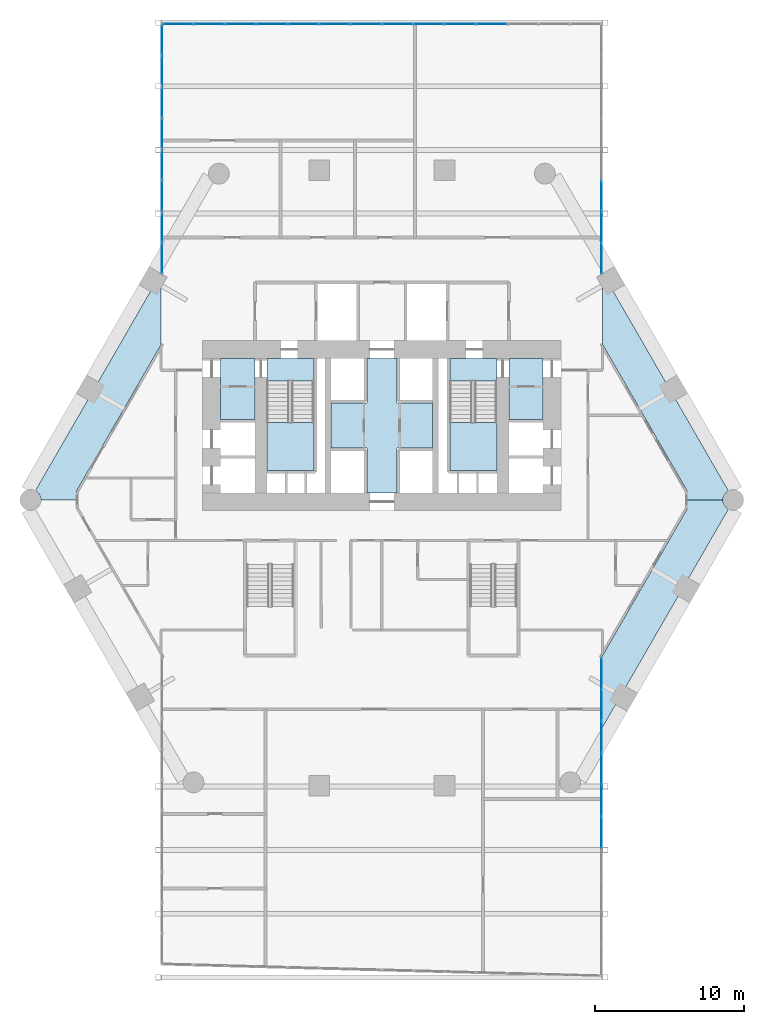
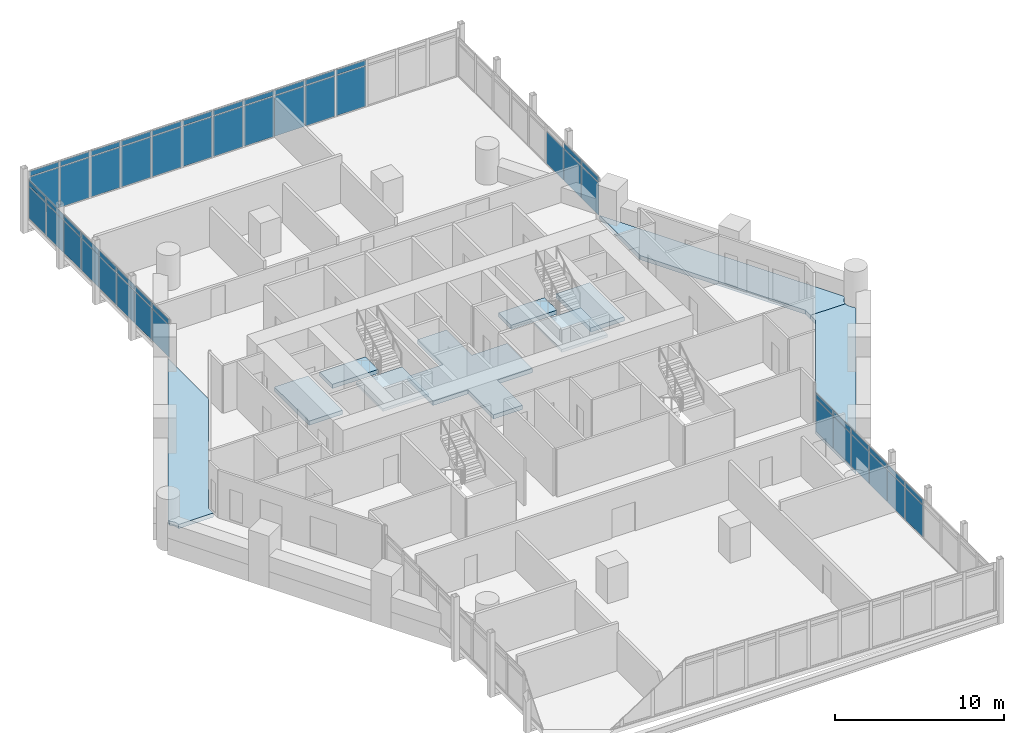
# One storey, part 21 of 28: 55 plates, 10 slabs, 6 elements without a shape of their own.
"""IFC4 building model written with IfcOpenShell, lengths in metres."""

from ifc_helpers import new_model, si_unit, direction, frame, origin, origin_2d, place, context, subcontext, project, spatial, polyline, rectangle, outline, extrude, material, layer, layer_set, type_object, element, aggregate, save


model = new_model("IFC4")

# Units and contexts
model_context = context("Model", 3, precision=1e-05, world=origin(), true_north=direction((0.0, 1.0)))
body_context = subcontext(model_context, "Body", "Model", "MODEL_VIEW")
ifc_project = project(units=[si_unit("LENGTHUNIT", "METRE"), si_unit("AREAUNIT", "SQUARE_METRE"), si_unit("VOLUMEUNIT", "CUBIC_METRE"), si_unit("PLANEANGLEUNIT", "RADIAN"), si_unit("MASSUNIT", "GRAM", prefix="KILO")], contexts=[model_context])

# Site, building, storey
site_placement = place(None, origin())
site = spatial("IfcSite", under=ifc_project, at=site_placement, CompositionType="ELEMENT")
building_placement = place(site_placement, origin())
building = spatial("IfcBuilding", under=site, at=building_placement, Name="Ostrander Bayou Hotel Tower", CompositionType="ELEMENT")
storey_placement = place(building_placement, frame((0.0, 0.0, 76.75)))
storey = spatial("IfcBuildingStorey", under=building, at=storey_placement, Name="L19", CompositionType="ELEMENT", Elevation=76.75)

# Curtain wall, plates
ifc_material_1 = material(Name="Aluminium and clear glass", Category="aluminium")
curtain_wall_type = type_object("IfcCurtainWallType", Name="CW-BAR glazed wall", PredefinedType="NOTDEFINED", material=ifc_material_1)
curtain_wall_1_placement = place(storey_placement, origin())
curtain_wall_1 = element("IfcCurtainWall", 1, at=curtain_wall_1_placement, inside=storey, type_object=curtain_wall_type, Name="CW-BAR L19:SB1S:W", PredefinedType="NOTDEFINED")
ifc_material_2 = material(Name="Clear laminated glass", Category="glass")
ifc_layer_1 = layer(ifc_material_2, 0.028076171875)
ifc_layer_set_1 = layer_set([ifc_layer_1], Name="CW-BR glazing panel 28 mm")
plate_type = type_object("IfcPlateType", Name="CW-BR glazing panel 28 mm", PredefinedType="CURTAIN_PANEL", material=ifc_layer_set_1)
plate_1_placement = place(storey_placement, frame((14.712158203125, -12.59912109375, 0.06005859375), z_axis=(0.0, 0.0, 1.0), x_axis=(0.0, -1.0, 0.0)))
plate_1 = element("IfcPlate", 2, at=plate_1_placement, type_object=plate_type, Name="CW-BAR panel 1.1", PredefinedType="CURTAIN_PANEL", context=body_context, shape_type="SweptSolid", body=[
    extrude(rectangle(XDim=2.04296875, YDim=0.028076171875, at=origin_2d()), origin(), (0.0, 0.0, 1.0), 2.31005859375),
])
plate_2_placement = place(storey_placement, frame((14.712158203125, -12.59912109375, 2.43017578125), z_axis=(0.0, 0.0, 1.0), x_axis=(0.0, -1.0, 0.0)))
plate_2 = element("IfcPlate", 3, at=plate_2_placement, type_object=plate_type, Name="CW-BAR panel 1.2", PredefinedType="CURTAIN_PANEL", context=body_context, shape_type="SweptSolid", body=[
    extrude(rectangle(XDim=2.04296875, YDim=0.028076171875, at=origin_2d()), origin(), (0.0, 0.0, 1.0), 0.360107421875),
])
plate_3_placement = place(storey_placement, frame((14.712158203125, -14.71728515625, 0.06005859375), z_axis=(0.0, 0.0, 1.0), x_axis=(0.0, -1.0, 0.0)))
plate_3 = element("IfcPlate", 4, at=plate_3_placement, type_object=plate_type, Name="CW-BAR panel 2.1", PredefinedType="CURTAIN_PANEL", context=body_context, shape_type="SweptSolid", body=[
    extrude(rectangle(XDim=2.072998046875, YDim=0.028076171875, at=origin_2d()), origin(), (0.0, 0.0, 1.0), 2.31005859375),
])
plate_4_placement = place(storey_placement, frame((14.712158203125, -14.71728515625, 2.43017578125), z_axis=(0.0, 0.0, 1.0), x_axis=(0.0, -1.0, 0.0)))
plate_4 = element("IfcPlate", 5, at=plate_4_placement, type_object=plate_type, Name="CW-BAR panel 2.2", PredefinedType="CURTAIN_PANEL", context=body_context, shape_type="SweptSolid", body=[
    extrude(rectangle(XDim=2.072998046875, YDim=0.028076171875, at=origin_2d()), origin(), (0.0, 0.0, 1.0), 0.360107421875),
])
plate_5_placement = place(storey_placement, frame((14.712158203125, -16.850341796875, 0.06005859375), z_axis=(0.0, 0.0, 1.0), x_axis=(0.0, -1.0, 0.0)))
plate_5 = element("IfcPlate", 6, at=plate_5_placement, type_object=plate_type, Name="CW-BAR panel 3.1", PredefinedType="CURTAIN_PANEL", context=body_context, shape_type="SweptSolid", body=[
    extrude(rectangle(XDim=2.072998046875, YDim=0.028076171875, at=origin_2d()), origin(), (0.0, 0.0, 1.0), 2.31005859375),
])
plate_6_placement = place(storey_placement, frame((14.712158203125, -16.850341796875, 2.43017578125), z_axis=(0.0, 0.0, 1.0), x_axis=(0.0, -1.0, 0.0)))
plate_6 = element("IfcPlate", 7, at=plate_6_placement, type_object=plate_type, Name="CW-BAR panel 3.2", PredefinedType="CURTAIN_PANEL", context=body_context, shape_type="SweptSolid", body=[
    extrude(rectangle(XDim=2.072998046875, YDim=0.028076171875, at=origin_2d()), origin(), (0.0, 0.0, 1.0), 0.360107421875),
])
plate_7_placement = place(storey_placement, frame((14.712158203125, -18.9833984375, 0.06005859375), z_axis=(0.0, 0.0, 1.0), x_axis=(0.0, -1.0, 0.0)))
plate_7 = element("IfcPlate", 8, at=plate_7_placement, type_object=plate_type, Name="CW-BAR panel 4.1", PredefinedType="CURTAIN_PANEL", context=body_context, shape_type="SweptSolid", body=[
    extrude(rectangle(XDim=2.072998046875, YDim=0.028076171875, at=origin_2d()), origin(), (0.0, 0.0, 1.0), 2.31005859375),
])
plate_8_placement = place(storey_placement, frame((14.712158203125, -18.9833984375, 2.43017578125), z_axis=(0.0, 0.0, 1.0), x_axis=(0.0, -1.0, 0.0)))
plate_8 = element("IfcPlate", 9, at=plate_8_placement, type_object=plate_type, Name="CW-BAR panel 4.2", PredefinedType="CURTAIN_PANEL", context=body_context, shape_type="SweptSolid", body=[
    extrude(rectangle(XDim=2.072998046875, YDim=0.028076171875, at=origin_2d()), origin(), (0.0, 0.0, 1.0), 0.360107421875),
])
plate_9_placement = place(storey_placement, frame((14.712158203125, -21.116455078125, 0.06005859375), z_axis=(0.0, 0.0, 1.0), x_axis=(0.0, -1.0, 0.0)))
plate_9 = element("IfcPlate", 10, at=plate_9_placement, type_object=plate_type, Name="CW-BAR panel 5.1", PredefinedType="CURTAIN_PANEL", context=body_context, shape_type="SweptSolid", body=[
    extrude(rectangle(XDim=2.072998046875, YDim=0.028076171875, at=origin_2d()), origin(), (0.0, 0.0, 1.0), 2.31005859375),
])
plate_10_placement = place(storey_placement, frame((14.712158203125, -21.116455078125, 2.43017578125), z_axis=(0.0, 0.0, 1.0), x_axis=(0.0, -1.0, 0.0)))
plate_10 = element("IfcPlate", 11, at=plate_10_placement, type_object=plate_type, Name="CW-BAR panel 5.2", PredefinedType="CURTAIN_PANEL", context=body_context, shape_type="SweptSolid", body=[
    extrude(rectangle(XDim=2.072998046875, YDim=0.028076171875, at=origin_2d()), origin(), (0.0, 0.0, 1.0), 0.360107421875),
])
plate_11_placement = place(storey_placement, frame((14.712158203125, -23.249267578125, 0.06005859375), z_axis=(0.0, 0.0, 1.0), x_axis=(0.0, -1.0, 0.0)))
plate_11 = element("IfcPlate", 12, at=plate_11_placement, type_object=plate_type, Name="CW-BAR panel 6.1", PredefinedType="CURTAIN_PANEL", context=body_context, shape_type="SweptSolid", body=[
    extrude(rectangle(XDim=2.072998046875, YDim=0.028076171875, at=origin_2d()), origin(), (0.0, 0.0, 1.0), 2.31005859375),
])
plate_12_placement = place(storey_placement, frame((14.712158203125, -23.249267578125, 2.43017578125), z_axis=(0.0, 0.0, 1.0), x_axis=(0.0, -1.0, 0.0)))
plate_12 = element("IfcPlate", 13, at=plate_12_placement, type_object=plate_type, Name="CW-BAR panel 6.2", PredefinedType="CURTAIN_PANEL", context=body_context, shape_type="SweptSolid", body=[
    extrude(rectangle(XDim=2.072998046875, YDim=0.028076171875, at=origin_2d()), origin(), (0.0, 0.0, 1.0), 0.360107421875),
])
aggregate(curtain_wall_1, [plate_1, plate_2, plate_3, plate_4, plate_5, plate_6, plate_7, plate_8, plate_9, plate_10, plate_11, plate_12])

curtain_wall_2_placement = place(storey_placement, origin())
curtain_wall_2 = element("IfcCurtainWall", 14, at=curtain_wall_2_placement, inside=storey, type_object=curtain_wall_type, Name="CW-BAR L19:SB1N:E", PredefinedType="NOTDEFINED")
plate_13_placement = place(storey_placement, frame((-14.712158203125, 15.2080078125, 0.06005859375), z_axis=(0.0, 0.0, 1.0), x_axis=(0.0, 1.0, 0.0)))
plate_13 = element("IfcPlate", 15, at=plate_13_placement, type_object=plate_type, Name="CW-BAR panel 1.1", PredefinedType="CURTAIN_PANEL", context=body_context, shape_type="SweptSolid", body=[
    extrude(rectangle(XDim=2.00244140625, YDim=0.028076171875, at=origin_2d()), origin(), (0.0, 0.0, 1.0), 2.31005859375),
])
plate_14_placement = place(storey_placement, frame((-14.712158203125, 15.2080078125, 2.43017578125), z_axis=(0.0, 0.0, 1.0), x_axis=(0.0, 1.0, 0.0)))
plate_14 = element("IfcPlate", 16, at=plate_14_placement, type_object=plate_type, Name="CW-BAR panel 1.2", PredefinedType="CURTAIN_PANEL", context=body_context, shape_type="SweptSolid", body=[
    extrude(rectangle(XDim=2.00244140625, YDim=0.028076171875, at=origin_2d()), origin(), (0.0, 0.0, 1.0), 0.360107421875),
])
plate_15_placement = place(storey_placement, frame((-14.712158203125, 17.285400390625, 0.06005859375), z_axis=(0.0, 0.0, 1.0), x_axis=(0.0, 1.0, 0.0)))
plate_15 = element("IfcPlate", 17, at=plate_15_placement, type_object=plate_type, Name="CW-BAR panel 2.1", PredefinedType="CURTAIN_PANEL", context=body_context, shape_type="SweptSolid", body=[
    extrude(rectangle(XDim=2.032470703125, YDim=0.028076171875, at=origin_2d()), origin(), (0.0, 0.0, 1.0), 2.31005859375),
])
plate_16_placement = place(storey_placement, frame((-14.712158203125, 17.285400390625, 2.43017578125), z_axis=(0.0, 0.0, 1.0), x_axis=(0.0, 1.0, 0.0)))
plate_16 = element("IfcPlate", 18, at=plate_16_placement, type_object=plate_type, Name="CW-BAR panel 2.2", PredefinedType="CURTAIN_PANEL", context=body_context, shape_type="SweptSolid", body=[
    extrude(rectangle(XDim=2.032470703125, YDim=0.028076171875, at=origin_2d()), origin(), (0.0, 0.0, 1.0), 0.360107421875),
])
plate_17_placement = place(storey_placement, frame((-14.712158203125, 19.3779296875, 0.06005859375), z_axis=(0.0, 0.0, 1.0), x_axis=(0.0, 1.0, 0.0)))
plate_17 = element("IfcPlate", 19, at=plate_17_placement, type_object=plate_type, Name="CW-BAR panel 3.1", PredefinedType="CURTAIN_PANEL", context=body_context, shape_type="SweptSolid", body=[
    extrude(rectangle(XDim=2.032470703125, YDim=0.028076171875, at=origin_2d()), origin(), (0.0, 0.0, 1.0), 2.31005859375),
])
plate_18_placement = place(storey_placement, frame((-14.712158203125, 19.3779296875, 2.43017578125), z_axis=(0.0, 0.0, 1.0), x_axis=(0.0, 1.0, 0.0)))
plate_18 = element("IfcPlate", 20, at=plate_18_placement, type_object=plate_type, Name="CW-BAR panel 3.2", PredefinedType="CURTAIN_PANEL", context=body_context, shape_type="SweptSolid", body=[
    extrude(rectangle(XDim=2.032470703125, YDim=0.028076171875, at=origin_2d()), origin(), (0.0, 0.0, 1.0), 0.360107421875),
])
plate_19_placement = place(storey_placement, frame((-14.712158203125, 21.47021484375, 0.06005859375), z_axis=(0.0, 0.0, 1.0), x_axis=(0.0, 1.0, 0.0)))
plate_19 = element("IfcPlate", 21, at=plate_19_placement, type_object=plate_type, Name="CW-BAR panel 4.1", PredefinedType="CURTAIN_PANEL", context=body_context, shape_type="SweptSolid", body=[
    extrude(rectangle(XDim=2.032470703125, YDim=0.028076171875, at=origin_2d()), origin(), (0.0, 0.0, 1.0), 2.31005859375),
])
plate_20_placement = place(storey_placement, frame((-14.712158203125, 21.47021484375, 2.43017578125), z_axis=(0.0, 0.0, 1.0), x_axis=(0.0, 1.0, 0.0)))
plate_20 = element("IfcPlate", 22, at=plate_20_placement, type_object=plate_type, Name="CW-BAR panel 4.2", PredefinedType="CURTAIN_PANEL", context=body_context, shape_type="SweptSolid", body=[
    extrude(rectangle(XDim=2.032470703125, YDim=0.028076171875, at=origin_2d()), origin(), (0.0, 0.0, 1.0), 0.360107421875),
])
plate_21_placement = place(storey_placement, frame((-14.712158203125, 23.562744140625, 0.06005859375), z_axis=(0.0, 0.0, 1.0), x_axis=(0.0, 1.0, 0.0)))
plate_21 = element("IfcPlate", 23, at=plate_21_placement, type_object=plate_type, Name="CW-BAR panel 5.1", PredefinedType="CURTAIN_PANEL", context=body_context, shape_type="SweptSolid", body=[
    extrude(rectangle(XDim=2.032470703125, YDim=0.028076171875, at=origin_2d()), origin(), (0.0, 0.0, 1.0), 2.31005859375),
])
plate_22_placement = place(storey_placement, frame((-14.712158203125, 23.562744140625, 2.43017578125), z_axis=(0.0, 0.0, 1.0), x_axis=(0.0, 1.0, 0.0)))
plate_22 = element("IfcPlate", 24, at=plate_22_placement, type_object=plate_type, Name="CW-BAR panel 5.2", PredefinedType="CURTAIN_PANEL", context=body_context, shape_type="SweptSolid", body=[
    extrude(rectangle(XDim=2.032470703125, YDim=0.028076171875, at=origin_2d()), origin(), (0.0, 0.0, 1.0), 0.360107421875),
])
plate_23_placement = place(storey_placement, frame((-14.712158203125, 25.655029296875, 0.06005859375), z_axis=(0.0, 0.0, 1.0), x_axis=(0.0, 1.0, 0.0)))
plate_23 = element("IfcPlate", 25, at=plate_23_placement, type_object=plate_type, Name="CW-BAR panel 6.1", PredefinedType="CURTAIN_PANEL", context=body_context, shape_type="SweptSolid", body=[
    extrude(rectangle(XDim=2.032470703125, YDim=0.028076171875, at=origin_2d()), origin(), (0.0, 0.0, 1.0), 2.31005859375),
])
plate_24_placement = place(storey_placement, frame((-14.712158203125, 25.655029296875, 2.43017578125), z_axis=(0.0, 0.0, 1.0), x_axis=(0.0, 1.0, 0.0)))
plate_24 = element("IfcPlate", 26, at=plate_24_placement, type_object=plate_type, Name="CW-BAR panel 6.2", PredefinedType="CURTAIN_PANEL", context=body_context, shape_type="SweptSolid", body=[
    extrude(rectangle(XDim=2.032470703125, YDim=0.028076171875, at=origin_2d()), origin(), (0.0, 0.0, 1.0), 0.360107421875),
])
plate_25_placement = place(storey_placement, frame((-14.712158203125, 27.74755859375, 0.06005859375), z_axis=(0.0, 0.0, 1.0), x_axis=(0.0, 1.0, 0.0)))
plate_25 = element("IfcPlate", 27, at=plate_25_placement, type_object=plate_type, Name="CW-BAR panel 7.1", PredefinedType="CURTAIN_PANEL", context=body_context, shape_type="SweptSolid", body=[
    extrude(rectangle(XDim=2.032470703125, YDim=0.028076171875, at=origin_2d()), origin(), (0.0, 0.0, 1.0), 2.31005859375),
])
plate_26_placement = place(storey_placement, frame((-14.712158203125, 27.74755859375, 2.43017578125), z_axis=(0.0, 0.0, 1.0), x_axis=(0.0, 1.0, 0.0)))
plate_26 = element("IfcPlate", 28, at=plate_26_placement, type_object=plate_type, Name="CW-BAR panel 7.2", PredefinedType="CURTAIN_PANEL", context=body_context, shape_type="SweptSolid", body=[
    extrude(rectangle(XDim=2.032470703125, YDim=0.028076171875, at=origin_2d()), origin(), (0.0, 0.0, 1.0), 0.360107421875),
])
plate_27_placement = place(storey_placement, frame((-14.712158203125, 29.824951171875, 0.06005859375), z_axis=(0.0, 0.0, 1.0), x_axis=(0.0, 1.0, 0.0)))
plate_27 = element("IfcPlate", 29, at=plate_27_placement, type_object=plate_type, Name="CW-BAR panel 8.1", PredefinedType="CURTAIN_PANEL", context=body_context, shape_type="SweptSolid", body=[
    extrude(rectangle(XDim=2.00244140625, YDim=0.028076171875, at=origin_2d()), origin(), (0.0, 0.0, 1.0), 2.31005859375),
])
plate_28_placement = place(storey_placement, frame((-14.712158203125, 29.824951171875, 2.43017578125), z_axis=(0.0, 0.0, 1.0), x_axis=(0.0, 1.0, 0.0)))
plate_28 = element("IfcPlate", 30, at=plate_28_placement, type_object=plate_type, Name="CW-BAR panel 8.2", PredefinedType="CURTAIN_PANEL", context=body_context, shape_type="SweptSolid", body=[
    extrude(rectangle(XDim=2.00244140625, YDim=0.028076171875, at=origin_2d()), origin(), (0.0, 0.0, 1.0), 0.360107421875),
])
aggregate(curtain_wall_2, [plate_13, plate_14, plate_15, plate_16, plate_17, plate_18, plate_19, plate_20, plate_21, plate_22, plate_23, plate_24, plate_25, plate_26, plate_27, plate_28])

curtain_wall_3_placement = place(storey_placement, origin())
curtain_wall_3 = element("IfcCurtainWall", 31, at=curtain_wall_3_placement, inside=storey, type_object=curtain_wall_type, Name="CW-BAR L19:SB1N:T", PredefinedType="NOTDEFINED")
plate_29_placement = place(storey_placement, frame((-13.646240234375, 30.88623046875, 0.06005859375), z_axis=(0.0, 0.0, 1.0), x_axis=(1.0, 0.0, 0.0)))
plate_29 = element("IfcPlate", 32, at=plate_29_placement, type_object=plate_type, Name="CW-BAR panel 1.1", PredefinedType="CURTAIN_PANEL", context=body_context, shape_type="SweptSolid", body=[
    extrude(rectangle(XDim=2.01171875, YDim=0.028076171875, at=origin_2d()), origin(), (0.0, 0.0, 1.0), 2.909912109375),
])
plate_30_placement = place(storey_placement, frame((-13.646240234375, 30.88623046875, 3.02978515625), z_axis=(0.0, 0.0, 1.0), x_axis=(1.0, 0.0, 0.0)))
plate_30 = element("IfcPlate", 33, at=plate_30_placement, type_object=plate_type, Name="CW-BAR panel 1.2", PredefinedType="CURTAIN_PANEL", context=body_context, shape_type="SweptSolid", body=[
    extrude(rectangle(XDim=2.01171875, YDim=0.028076171875, at=origin_2d()), origin(), (0.0, 0.0, 1.0), 0.360107421875),
])
plate_31_placement = place(storey_placement, frame((-11.5595703125, 30.88623046875, 0.06005859375), z_axis=(0.0, 0.0, 1.0), x_axis=(1.0, 0.0, 0.0)))
plate_31 = element("IfcPlate", 34, at=plate_31_placement, type_object=plate_type, Name="CW-BAR panel 2.1", PredefinedType="CURTAIN_PANEL", context=body_context, shape_type="SweptSolid", body=[
    extrude(rectangle(XDim=2.041748046875, YDim=0.028076171875, at=origin_2d()), origin(), (0.0, 0.0, 1.0), 2.909912109375),
])
plate_32_placement = place(storey_placement, frame((-11.5595703125, 30.88623046875, 3.02978515625), z_axis=(0.0, 0.0, 1.0), x_axis=(1.0, 0.0, 0.0)))
plate_32 = element("IfcPlate", 35, at=plate_32_placement, type_object=plate_type, Name="CW-BAR panel 2.2", PredefinedType="CURTAIN_PANEL", context=body_context, shape_type="SweptSolid", body=[
    extrude(rectangle(XDim=2.041748046875, YDim=0.028076171875, at=origin_2d()), origin(), (0.0, 0.0, 1.0), 0.360107421875),
])
plate_33_placement = place(storey_placement, frame((-9.457763671875, 30.88623046875, 0.06005859375), z_axis=(0.0, 0.0, 1.0), x_axis=(1.0, 0.0, 0.0)))
plate_33 = element("IfcPlate", 36, at=plate_33_placement, type_object=plate_type, Name="CW-BAR panel 3.1", PredefinedType="CURTAIN_PANEL", context=body_context, shape_type="SweptSolid", body=[
    extrude(rectangle(XDim=2.041748046875, YDim=0.028076171875, at=origin_2d()), origin(), (0.0, 0.0, 1.0), 2.909912109375),
])
plate_34_placement = place(storey_placement, frame((-9.457763671875, 30.88623046875, 3.02978515625), z_axis=(0.0, 0.0, 1.0), x_axis=(1.0, 0.0, 0.0)))
plate_34 = element("IfcPlate", 37, at=plate_34_placement, type_object=plate_type, Name="CW-BAR panel 3.2", PredefinedType="CURTAIN_PANEL", context=body_context, shape_type="SweptSolid", body=[
    extrude(rectangle(XDim=2.041748046875, YDim=0.028076171875, at=origin_2d()), origin(), (0.0, 0.0, 1.0), 0.360107421875),
])
plate_35_placement = place(storey_placement, frame((-7.356201171875, 30.88623046875, 0.06005859375), z_axis=(0.0, 0.0, 1.0), x_axis=(1.0, 0.0, 0.0)))
plate_35 = element("IfcPlate", 38, at=plate_35_placement, type_object=plate_type, Name="CW-BAR panel 4.1", PredefinedType="CURTAIN_PANEL", context=body_context, shape_type="SweptSolid", body=[
    extrude(rectangle(XDim=2.041748046875, YDim=0.028076171875, at=origin_2d()), origin(), (0.0, 0.0, 1.0), 2.909912109375),
])
plate_36_placement = place(storey_placement, frame((-7.356201171875, 30.88623046875, 3.02978515625), z_axis=(0.0, 0.0, 1.0), x_axis=(1.0, 0.0, 0.0)))
plate_36 = element("IfcPlate", 39, at=plate_36_placement, type_object=plate_type, Name="CW-BAR panel 4.2", PredefinedType="CURTAIN_PANEL", context=body_context, shape_type="SweptSolid", body=[
    extrude(rectangle(XDim=2.041748046875, YDim=0.028076171875, at=origin_2d()), origin(), (0.0, 0.0, 1.0), 0.360107421875),
])
plate_37_placement = place(storey_placement, frame((-5.25439453125, 30.88623046875, 0.06005859375), z_axis=(0.0, 0.0, 1.0), x_axis=(1.0, 0.0, 0.0)))
plate_37 = element("IfcPlate", 40, at=plate_37_placement, type_object=plate_type, Name="CW-BAR panel 5.1", PredefinedType="CURTAIN_PANEL", context=body_context, shape_type="SweptSolid", body=[
    extrude(rectangle(XDim=2.041748046875, YDim=0.028076171875, at=origin_2d()), origin(), (0.0, 0.0, 1.0), 2.909912109375),
])
plate_38_placement = place(storey_placement, frame((-5.25439453125, 30.88623046875, 3.02978515625), z_axis=(0.0, 0.0, 1.0), x_axis=(1.0, 0.0, 0.0)))
plate_38 = element("IfcPlate", 41, at=plate_38_placement, type_object=plate_type, Name="CW-BAR panel 5.2", PredefinedType="CURTAIN_PANEL", context=body_context, shape_type="SweptSolid", body=[
    extrude(rectangle(XDim=2.041748046875, YDim=0.028076171875, at=origin_2d()), origin(), (0.0, 0.0, 1.0), 0.360107421875),
])
plate_39_placement = place(storey_placement, frame((-3.152587890625, 30.88623046875, 0.06005859375), z_axis=(0.0, 0.0, 1.0), x_axis=(1.0, 0.0, 0.0)))
plate_39 = element("IfcPlate", 42, at=plate_39_placement, type_object=plate_type, Name="CW-BAR panel 6.1", PredefinedType="CURTAIN_PANEL", context=body_context, shape_type="SweptSolid", body=[
    extrude(rectangle(XDim=2.041748046875, YDim=0.028076171875, at=origin_2d()), origin(), (0.0, 0.0, 1.0), 2.909912109375),
])
plate_40_placement = place(storey_placement, frame((-3.152587890625, 30.88623046875, 3.02978515625), z_axis=(0.0, 0.0, 1.0), x_axis=(1.0, 0.0, 0.0)))
plate_40 = element("IfcPlate", 43, at=plate_40_placement, type_object=plate_type, Name="CW-BAR panel 6.2", PredefinedType="CURTAIN_PANEL", context=body_context, shape_type="SweptSolid", body=[
    extrude(rectangle(XDim=2.041748046875, YDim=0.028076171875, at=origin_2d()), origin(), (0.0, 0.0, 1.0), 0.360107421875),
])
plate_41_placement = place(storey_placement, frame((-1.05078125, 30.88623046875, 0.06005859375), z_axis=(0.0, 0.0, 1.0), x_axis=(1.0, 0.0, 0.0)))
plate_41 = element("IfcPlate", 44, at=plate_41_placement, type_object=plate_type, Name="CW-BAR panel 7.1", PredefinedType="CURTAIN_PANEL", context=body_context, shape_type="SweptSolid", body=[
    extrude(rectangle(XDim=2.041748046875, YDim=0.028076171875, at=origin_2d()), origin(), (0.0, 0.0, 1.0), 2.909912109375),
])
plate_42_placement = place(storey_placement, frame((-1.05078125, 30.88623046875, 3.02978515625), z_axis=(0.0, 0.0, 1.0), x_axis=(1.0, 0.0, 0.0)))
plate_42 = element("IfcPlate", 45, at=plate_42_placement, type_object=plate_type, Name="CW-BAR panel 7.2", PredefinedType="CURTAIN_PANEL", context=body_context, shape_type="SweptSolid", body=[
    extrude(rectangle(XDim=2.041748046875, YDim=0.028076171875, at=origin_2d()), origin(), (0.0, 0.0, 1.0), 0.360107421875),
])
plate_43_placement = place(storey_placement, frame((1.05078125, 30.88623046875, 0.06005859375), z_axis=(0.0, 0.0, 1.0), x_axis=(1.0, 0.0, 0.0)))
plate_43 = element("IfcPlate", 46, at=plate_43_placement, type_object=plate_type, Name="CW-BAR panel 8.1", PredefinedType="CURTAIN_PANEL", context=body_context, shape_type="SweptSolid", body=[
    extrude(rectangle(XDim=2.041748046875, YDim=0.028076171875, at=origin_2d()), origin(), (0.0, 0.0, 1.0), 2.909912109375),
])
plate_44_placement = place(storey_placement, frame((1.05078125, 30.88623046875, 3.02978515625), z_axis=(0.0, 0.0, 1.0), x_axis=(1.0, 0.0, 0.0)))
plate_44 = element("IfcPlate", 47, at=plate_44_placement, type_object=plate_type, Name="CW-BAR panel 8.2", PredefinedType="CURTAIN_PANEL", context=body_context, shape_type="SweptSolid", body=[
    extrude(rectangle(XDim=2.041748046875, YDim=0.028076171875, at=origin_2d()), origin(), (0.0, 0.0, 1.0), 0.360107421875),
])
plate_45_placement = place(storey_placement, frame((3.152587890625, 30.88623046875, 0.06005859375), z_axis=(0.0, 0.0, 1.0), x_axis=(1.0, 0.0, 0.0)))
plate_45 = element("IfcPlate", 48, at=plate_45_placement, type_object=plate_type, Name="CW-BAR panel 9.1", PredefinedType="CURTAIN_PANEL", context=body_context, shape_type="SweptSolid", body=[
    extrude(rectangle(XDim=2.041748046875, YDim=0.028076171875, at=origin_2d()), origin(), (0.0, 0.0, 1.0), 2.909912109375),
])
plate_46_placement = place(storey_placement, frame((3.152587890625, 30.88623046875, 3.02978515625), z_axis=(0.0, 0.0, 1.0), x_axis=(1.0, 0.0, 0.0)))
plate_46 = element("IfcPlate", 49, at=plate_46_placement, type_object=plate_type, Name="CW-BAR panel 9.2", PredefinedType="CURTAIN_PANEL", context=body_context, shape_type="SweptSolid", body=[
    extrude(rectangle(XDim=2.041748046875, YDim=0.028076171875, at=origin_2d()), origin(), (0.0, 0.0, 1.0), 0.360107421875),
])
plate_47_placement = place(storey_placement, frame((5.25439453125, 30.88623046875, 0.06005859375), z_axis=(0.0, 0.0, 1.0), x_axis=(1.0, 0.0, 0.0)))
plate_47 = element("IfcPlate", 50, at=plate_47_placement, type_object=plate_type, Name="CW-BAR panel 10.1", PredefinedType="CURTAIN_PANEL", context=body_context, shape_type="SweptSolid", body=[
    extrude(rectangle(XDim=2.041748046875, YDim=0.028076171875, at=origin_2d()), origin(), (0.0, 0.0, 1.0), 2.909912109375),
])
plate_48_placement = place(storey_placement, frame((5.25439453125, 30.88623046875, 3.02978515625), z_axis=(0.0, 0.0, 1.0), x_axis=(1.0, 0.0, 0.0)))
plate_48 = element("IfcPlate", 51, at=plate_48_placement, type_object=plate_type, Name="CW-BAR panel 10.2", PredefinedType="CURTAIN_PANEL", context=body_context, shape_type="SweptSolid", body=[
    extrude(rectangle(XDim=2.041748046875, YDim=0.028076171875, at=origin_2d()), origin(), (0.0, 0.0, 1.0), 0.360107421875),
])
plate_49_placement = place(storey_placement, frame((7.356201171875, 30.88623046875, 0.06005859375), z_axis=(0.0, 0.0, 1.0), x_axis=(1.0, 0.0, 0.0)))
plate_49 = element("IfcPlate", 52, at=plate_49_placement, type_object=plate_type, Name="CW-BAR panel 11.1", PredefinedType="CURTAIN_PANEL", context=body_context, shape_type="SweptSolid", body=[
    extrude(rectangle(XDim=2.041748046875, YDim=0.028076171875, at=origin_2d()), origin(), (0.0, 0.0, 1.0), 2.909912109375),
])
plate_50_placement = place(storey_placement, frame((7.356201171875, 30.88623046875, 3.02978515625), z_axis=(0.0, 0.0, 1.0), x_axis=(1.0, 0.0, 0.0)))
plate_50 = element("IfcPlate", 53, at=plate_50_placement, type_object=plate_type, Name="CW-BAR panel 11.2", PredefinedType="CURTAIN_PANEL", context=body_context, shape_type="SweptSolid", body=[
    extrude(rectangle(XDim=2.041748046875, YDim=0.028076171875, at=origin_2d()), origin(), (0.0, 0.0, 1.0), 0.360107421875),
])
aggregate(curtain_wall_3, [plate_29, plate_30, plate_31, plate_32, plate_33, plate_34, plate_35, plate_36, plate_37, plate_38, plate_39, plate_40, plate_41, plate_42, plate_43, plate_44, plate_45, plate_46, plate_47, plate_48, plate_49, plate_50])

curtain_wall_4_placement = place(storey_placement, origin())
curtain_wall_4 = element("IfcCurtainWall", 54, at=curtain_wall_4_placement, inside=storey, type_object=curtain_wall_type, Name="CW-BAR L19:SB1N:W", PredefinedType="NOTDEFINED")
plate_51_placement = place(storey_placement, frame((14.712158203125, 15.2080078125, 0.06005859375), z_axis=(0.0, 0.0, 1.0), x_axis=(0.0, 1.0, 0.0)))
plate_51 = element("IfcPlate", 55, at=plate_51_placement, type_object=plate_type, Name="CW-BAR panel 1.1", PredefinedType="CURTAIN_PANEL", context=body_context, shape_type="SweptSolid", body=[
    extrude(rectangle(XDim=2.00244140625, YDim=0.028076171875, at=origin_2d()), origin(), (0.0, 0.0, 1.0), 2.31005859375),
])
plate_52_placement = place(storey_placement, frame((14.712158203125, 15.2080078125, 2.43017578125), z_axis=(0.0, 0.0, 1.0), x_axis=(0.0, 1.0, 0.0)))
plate_52 = element("IfcPlate", 56, at=plate_52_placement, type_object=plate_type, Name="CW-BAR panel 1.2", PredefinedType="CURTAIN_PANEL", context=body_context, shape_type="SweptSolid", body=[
    extrude(rectangle(XDim=2.00244140625, YDim=0.028076171875, at=origin_2d()), origin(), (0.0, 0.0, 1.0), 0.360107421875),
])
plate_53_placement = place(storey_placement, frame((14.712158203125, 17.285400390625, 0.06005859375), z_axis=(0.0, 0.0, 1.0), x_axis=(0.0, 1.0, 0.0)))
plate_53 = element("IfcPlate", 57, at=plate_53_placement, type_object=plate_type, Name="CW-BAR panel 2.1", PredefinedType="CURTAIN_PANEL", context=body_context, shape_type="SweptSolid", body=[
    extrude(rectangle(XDim=2.032470703125, YDim=0.028076171875, at=origin_2d()), origin(), (0.0, 0.0, 1.0), 2.31005859375),
])
plate_54_placement = place(storey_placement, frame((14.712158203125, 17.285400390625, 2.43017578125), z_axis=(0.0, 0.0, 1.0), x_axis=(0.0, 1.0, 0.0)))
plate_54 = element("IfcPlate", 58, at=plate_54_placement, type_object=plate_type, Name="CW-BAR panel 2.2", PredefinedType="CURTAIN_PANEL", context=body_context, shape_type="SweptSolid", body=[
    extrude(rectangle(XDim=2.032470703125, YDim=0.028076171875, at=origin_2d()), origin(), (0.0, 0.0, 1.0), 0.360107421875),
])
plate_55_placement = place(storey_placement, frame((14.712158203125, 19.3779296875, 0.06005859375), z_axis=(0.0, 0.0, 1.0), x_axis=(0.0, 1.0, 0.0)))
plate_55 = element("IfcPlate", 59, at=plate_55_placement, type_object=plate_type, Name="CW-BAR panel 3.1", PredefinedType="CURTAIN_PANEL", context=body_context, shape_type="SweptSolid", body=[
    extrude(rectangle(XDim=2.032470703125, YDim=0.028076171875, at=origin_2d()), origin(), (0.0, 0.0, 1.0), 2.31005859375),
])
aggregate(curtain_wall_4, [plate_51, plate_52, plate_53, plate_54, plate_55])

# Slabs
ifc_material_3 = material(Name="Concrete f'c 40 MPa", Category="concrete")
ifc_layer_2 = layer(ifc_material_3, 0.300048828125)
ifc_layer_set_2 = layer_set([ifc_layer_2], Name="SL1 floor slab 300 mm f'c 40 MPa")
slab_type_1 = type_object("IfcSlabType", Name="SL1 floor slab 300 mm f'c 40 MPa", PredefinedType="FLOOR", material=ifc_layer_set_2)
slab_1_placement = place(storey_placement, frame((0.0, 0.0, -0.300048828125)))
element("IfcSlab", 60, at=slab_1_placement, inside=storey, type_object=slab_type_1, Name="cslab:L19:001", PredefinedType="FLOOR", context=body_context, shape_type="SweptSolid", body=[
    extrude(outline(polyline([(-3.39990234375, 5.5), (-1.0, 5.5), (-1.0, 8.5), (1.0, 8.5), (1.0, 5.5), (3.39990234375, 5.5), (3.39990234375, 2.5), (1.0, 2.5), (1.0, -0.5), (-1.0, -0.5), (-1.0, 2.5), (-3.39990234375, 2.5), (-3.39990234375, 5.5)])), origin(), (0.0, 0.0, 1.0), 0.300048828125),
])
slab_2_placement = place(storey_placement, frame((0.0, 0.0, -0.300048828125)))
element("IfcSlab", 61, at=slab_2_placement, inside=storey, type_object=slab_type_1, Name="cslab:L19:002", PredefinedType="FLOOR", context=body_context, shape_type="SweptSolid", body=[
    extrude(outline(polyline([(-8.5, 4.39990234375), (-8.5, 8.5), (-10.800048828125, 8.5), (-10.800048828125, 4.39990234375), (-8.5, 4.39990234375)])), origin(), (0.0, 0.0, 1.0), 0.300048828125),
])
slab_3_placement = place(storey_placement, frame((0.0, 0.0, -0.300048828125)))
element("IfcSlab", 62, at=slab_3_placement, inside=storey, type_object=slab_type_1, Name="cslab:L19:003", PredefinedType="FLOOR", context=body_context, shape_type="SweptSolid", body=[
    extrude(outline(polyline([(10.800048828125, 4.39990234375), (10.800048828125, 8.5), (8.5, 8.5), (8.5, 4.39990234375), (10.800048828125, 4.39990234375)])), origin(), (0.0, 0.0, 1.0), 0.300048828125),
])
slab_4_placement = place(storey_placement, frame((0.0, 0.0, -0.300048828125)))
element("IfcSlab", 63, at=slab_4_placement, inside=storey, type_object=slab_type_1, Name="cslab:L19:004", PredefinedType="FLOOR", context=body_context, shape_type="SweptSolid", body=[
    extrude(outline(polyline([(-4.550048828125, 7.0), (-4.550048828125, 8.5), (-7.699951171875, 8.5), (-7.699951171875, 7.0), (-4.550048828125, 7.0)])), origin(), (0.0, 0.0, 1.0), 0.300048828125),
])
slab_5_placement = place(storey_placement, frame((0.0, 0.0, -0.300048828125)))
element("IfcSlab", 64, at=slab_5_placement, inside=storey, type_object=slab_type_1, Name="cslab:L19:005", PredefinedType="FLOOR", context=body_context, shape_type="SweptSolid", body=[
    extrude(outline(polyline([(7.699951171875, 7.0), (7.699951171875, 8.5), (4.550048828125, 8.5), (4.550048828125, 7.0), (7.699951171875, 7.0)])), origin(), (0.0, 0.0, 1.0), 0.300048828125),
])
ifc_material_4 = material(Name="Concrete f'c 40 MPa", Category="concrete")
ifc_layer_3 = layer(ifc_material_4, 0.300048828125)
ifc_layer_set_3 = layer_set([ifc_layer_3], Name="SL4 loggia slab 300 mm f'c 40 MPa")
slab_type_2 = type_object("IfcSlabType", Name="SL4 loggia slab 300 mm f'c 40 MPa", PredefinedType="FLOOR", material=ifc_layer_set_3)
slab_6_placement = place(storey_placement, frame((0.0, 0.0, -0.300048828125)))
element("IfcSlab", 65, at=slab_6_placement, inside=storey, type_object=slab_type_2, Name="SL4 LOGGIA L19 NW 1", PredefinedType="FLOOR", context=body_context, shape_type="SweptSolid", body=[
    extrude(outline(polyline([(-20.448486328125, -0.3818359375), (-20.448486328125, -0.98193359375), (-22.834228515625, -0.98193359375), (-22.84765625, -0.84521484375), (-22.8876953125, -0.714111328125), (-22.952392578125, -0.593017578125), (-23.039306640625, -0.48681640625), (-23.13330078125, -0.409912109375), (-23.13330078125, -0.23193359375), (-14.81689453125, 14.172607421875), (-14.787109375, 14.22412109375), (-14.787109375, 9.424072265625), (-20.448486328125, -0.3818359375)])), origin(), (0.0, 0.0, 1.0), 0.300048828125),
])
slab_7_placement = place(storey_placement, frame((0.0, 0.0, -0.300048828125)))
element("IfcSlab", 66, at=slab_7_placement, inside=storey, type_object=slab_type_2, Name="SL4 LOGGIA L19 SE 1", PredefinedType="FLOOR", context=body_context, shape_type="SweptSolid", body=[
    extrude(outline(polyline([(16.337158203125, -13.503173828125), (15.667236328125, -14.66357421875), (14.787109375, -16.187744140625), (14.787109375, -11.3876953125), (20.448486328125, -1.581787109375), (20.448486328125, -0.98193359375), (22.834228515625, -0.98193359375), (22.84765625, -1.118408203125), (22.8876953125, -1.249755859375), (22.952392578125, -1.370849609375), (23.039306640625, -1.476806640625), (23.13330078125, -1.553955078125), (23.13330078125, -1.73193359375), (20.53271484375, -6.236328125), (19.862548828125, -7.39697265625), (16.337158203125, -13.503173828125)])), origin(), (0.0, 0.0, 1.0), 0.300048828125),
])
slab_8_placement = place(storey_placement, frame((0.0, 0.0, -0.300048828125)))
element("IfcSlab", 67, at=slab_8_placement, inside=storey, type_object=slab_type_2, Name="SL4 LOGGIA L19 NE 1", PredefinedType="FLOOR", context=body_context, shape_type="SweptSolid", body=[
    extrude(outline(polyline([(14.787109375, 14.22412109375), (14.81689453125, 14.172607421875), (16.919189453125, 10.531494140625), (19.01220703125, 6.906005859375), (19.682373046875, 5.74560546875), (23.13330078125, -0.23193359375), (23.13330078125, -0.409912109375), (23.039306640625, -0.48681640625), (22.952392578125, -0.593017578125), (22.8876953125, -0.714111328125), (22.84765625, -0.84521484375), (22.834228515625, -0.98193359375), (20.448486328125, -0.98193359375), (20.448486328125, -0.3818359375), (14.787109375, 9.424072265625), (14.787109375, 14.22412109375)])), origin(), (0.0, 0.0, 1.0), 0.300048828125),
])

# Stair, slab
ifc_material_5 = material(Name="Concrete f'c 45 MPa", Category="concrete")
stair_type = type_object("IfcStairType", Name="ST1 exit stair 1500 mm f'c 45 MPa", PredefinedType="HALF_TURN_STAIR", material=ifc_material_5)
stair_1_placement = place(storey_placement, origin())
stair_1 = element("IfcStair", 68, at=stair_1_placement, inside=storey, type_object=stair_type, Name="L19 exit stair A", PredefinedType="HALF_TURN_STAIR")
ifc_material_6 = material(Name="Concrete f'c 45 MPa", Category="concrete")
ifc_layer_4 = layer(ifc_material_6, 0.199951171875)
ifc_layer_set_4 = layer_set([ifc_layer_4], Name="SL8 stair landing 200 mm f'c 45 MPa")
slab_type_3 = type_object("IfcSlabType", Name="SL8 stair landing 200 mm f'c 45 MPa", PredefinedType="LANDING", material=ifc_layer_set_4)
slab_9_placement = place(storey_placement, frame((0.0, 0.0, 1.675048828125)))
slab_9 = element("IfcSlab", 69, at=slab_9_placement, type_object=slab_type_3, Name="STA landing 1", PredefinedType="LANDING", context=body_context, shape_type="SweptSolid", body=[
    extrude(outline(polyline([(-7.699951171875, 4.199951171875), (-7.699951171875, 1.0), (-4.550048828125, 1.0), (-4.550048828125, 4.199951171875), (-7.699951171875, 4.199951171875)])), origin(), (0.0, 0.0, 1.0), 0.199951171875),
])
aggregate(stair_1, [slab_9])

stair_2_placement = place(storey_placement, origin())
stair_2 = element("IfcStair", 70, at=stair_2_placement, inside=storey, type_object=stair_type, Name="L19 exit stair B", PredefinedType="HALF_TURN_STAIR")
slab_10_placement = place(storey_placement, frame((0.0, 0.0, 1.675048828125)))
slab_10 = element("IfcSlab", 71, at=slab_10_placement, type_object=slab_type_3, Name="STB landing 1", PredefinedType="LANDING", context=body_context, shape_type="SweptSolid", body=[
    extrude(outline(polyline([(4.550048828125, 4.199951171875), (4.550048828125, 1.0), (7.699951171875, 1.0), (7.699951171875, 4.199951171875), (4.550048828125, 4.199951171875)])), origin(), (0.0, 0.0, 1.0), 0.199951171875),
])
aggregate(stair_2, [slab_10])

save(model, "model.ifc")
